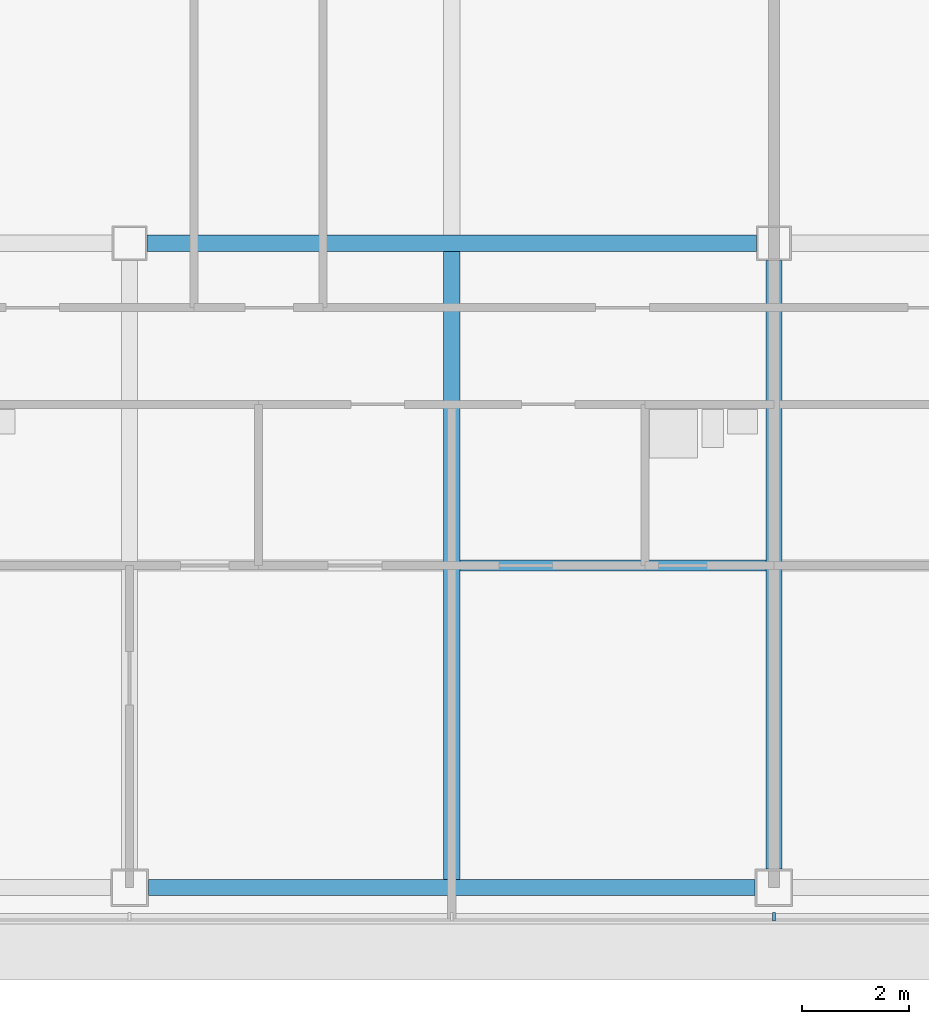
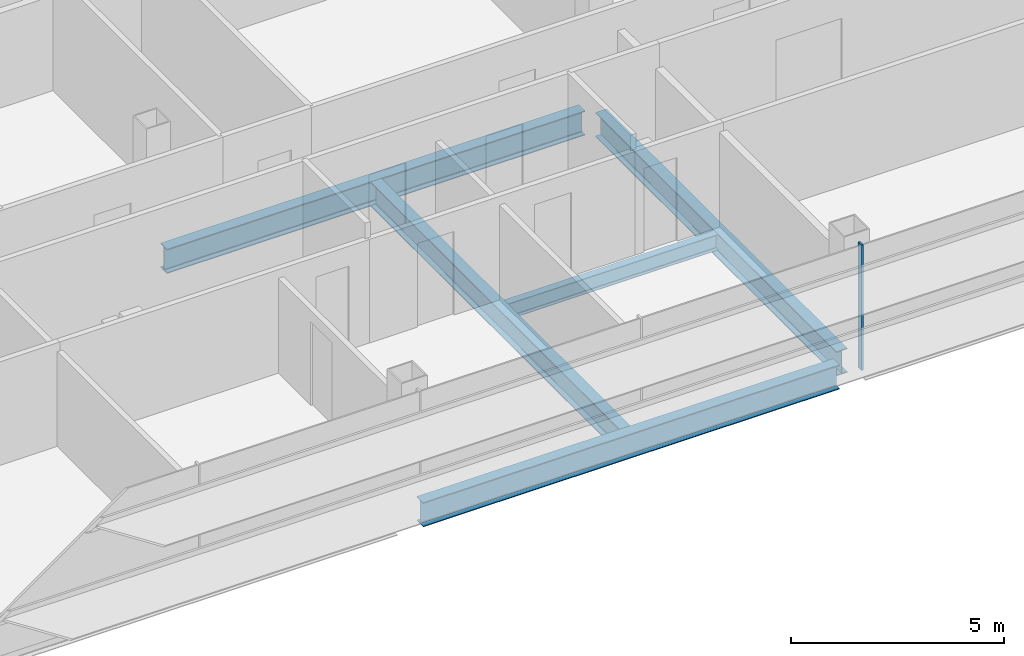
# One storey, part 3 of 26: 5 beams, 1 member, 1 element without a shape of its own.
"""IFC4 building model written with IfcOpenShell, lengths in metres."""

from ifc_helpers import new_model, si_unit, direction, frame, origin, origin_2d, place, context, subcontext, project, spatial, rectangle, i_section, extrude, material, material_profile, profile_set, type_object, element, aggregate, save


model = new_model("IFC4")

# Units and contexts
model_context = context("Model", 3, precision=1e-05, world=origin(), true_north=direction((0.0, 1.0)))
body_context = subcontext(model_context, "Body", "Model", "MODEL_VIEW")
ifc_project = project(units=[si_unit("LENGTHUNIT", "METRE"), si_unit("AREAUNIT", "SQUARE_METRE"), si_unit("VOLUMEUNIT", "CUBIC_METRE"), si_unit("PLANEANGLEUNIT", "RADIAN"), si_unit("MASSUNIT", "GRAM", prefix="KILO")], contexts=[model_context])

# Site, building, storey
site_placement = place(None, origin())
site = spatial("IfcSite", under=ifc_project, at=site_placement, CompositionType="ELEMENT")
building_placement = place(site_placement, origin())
building = spatial("IfcBuilding", under=site, at=building_placement, Name="Sorahane Residences", CompositionType="ELEMENT")
storey_placement = place(building_placement, frame((0.0, 0.0, 151.0)))
storey = spatial("IfcBuildingStorey", under=building, at=storey_placement, Name="L34", CompositionType="ELEMENT", Elevation=151.0)

# Curtain wall, member
ifc_material_1 = material(Name="Dark low-e glass and black anodised aluminium", Category="aluminium")
curtain_wall_type = type_object("IfcCurtainWallType", Name="Curtain wall CW-1 Typical unitised wall", PredefinedType="NOTDEFINED", material=ifc_material_1)
curtain_wall_placement = place(storey_placement, origin())
curtain_wall = element("IfcCurtainWall", 1, at=curtain_wall_placement, inside=storey, type_object=curtain_wall_type, Name="CW-1 curtain wall L34 S1", PredefinedType="NOTDEFINED")
ifc_material_2 = material(Name="Black anodised aluminium", Category="aluminium")
ifc_material_profile_1 = material_profile(ifc_material_2, rectangle(XDim=0.159912109375, YDim=0.050048828125, at=origin_2d()), Name="Curtain wall mullion CW-1 black anodised aluminium 50x160")
ifc_profile_set_1 = profile_set([ifc_material_profile_1], Name="Black anodised aluminium")
member_type = type_object("IfcMemberType", Name="Curtain wall mullion CW-1 black anodised aluminium 50x160", PredefinedType="MULLION", material=ifc_profile_set_1)
member_placement = place(storey_placement, frame((24.0, -0.5400390625, -0.179931640625), z_axis=(0.0, 0.0, 1.0), x_axis=(0.0, -1.0, 0.0)))
member = element("IfcMember", 2, at=member_placement, type_object=member_type, Name="CW-1 mullion L34 S1.5", PredefinedType="MULLION", context=body_context, shape_type="SweptSolid", body=[
    extrude(rectangle(XDim=0.159912109375, YDim=0.050048828125, at=origin_2d()), origin(), (0.0, 0.0, 1.0), 3.599853515625),
])
aggregate(curtain_wall, [member])

# Beams
ifc_material_3 = material(Name="Steel Q355B", Category="steel")
ifc_material_profile_2 = material_profile(ifc_material_3, i_section(OverallWidth=0.199951171875, OverallDepth=0.449951171875, WebThickness=0.009033203125, FlangeThickness=0.013916015625, FilletRadius=0.02001953125, at=origin_2d()), Name="HN 450x200x9x14")
ifc_profile_set_2 = profile_set([ifc_material_profile_2], Name="Steel Q355B")
beam_type_1 = type_object("IfcBeamType", Name="Steel floor beam HN 450x200x9x14 Q355B", PredefinedType="BEAM", material=ifc_profile_set_2)
beam_1_placement = place(storey_placement, frame((18.14990234375, 6.0, -0.405029296875), z_axis=(1.0, 0.0, 0.0), x_axis=(0.0, 1.0, 0.0)))
element("IfcBeam", 3, at=beam_1_placement, inside=storey, type_object=beam_type_1, Name="Beam L34 072", PredefinedType="BEAM", context=body_context, shape_type="SweptSolid", body=[
    extrude(i_section(OverallWidth=0.199951171875, OverallDepth=0.449951171875, WebThickness=0.009033203125, FlangeThickness=0.013916015625, FilletRadius=0.02001953125, at=origin_2d()), origin(), (0.0, 0.0, 1.0), 5.7001953125),
])
ifc_material_4 = material(Name="Steel Q355B", Category="steel")
ifc_material_profile_3 = material_profile(ifc_material_4, i_section(OverallWidth=0.300048828125, OverallDepth=0.699951171875, WebThickness=0.012939453125, FlangeThickness=0.02392578125, FilletRadius=0.028076171875, at=origin_2d()), Name="HN 700x300x13x24")
ifc_profile_set_3 = profile_set([ifc_material_profile_3], Name="Steel Q355B")
beam_type_2 = type_object("IfcBeamType", Name="Steel floor beam HN 700x300x13x24 Q355B", PredefinedType="BEAM", material=ifc_profile_set_3)
beam_2_placement = place(storey_placement, frame((12.35009765625, 0.0, -0.530029296875), z_axis=(1.0, 0.0, 0.0), x_axis=(0.0, 1.0, 0.0)))
element("IfcBeam", 4, at=beam_2_placement, inside=storey, type_object=beam_type_2, Name="Beam L34 001", PredefinedType="BEAM", context=body_context, shape_type="SweptSolid", body=[
    extrude(i_section(OverallWidth=0.300048828125, OverallDepth=0.699951171875, WebThickness=0.012939453125, FlangeThickness=0.02392578125, FilletRadius=0.028076171875, at=origin_2d()), origin(), (0.0, 0.0, 1.0), 11.2998046875),
])
beam_3_placement = place(storey_placement, frame((12.324951171875, 12.0, -0.530029296875), z_axis=(1.0, 0.0, 0.0), x_axis=(0.0, 1.0, 0.0)))
element("IfcBeam", 5, at=beam_3_placement, inside=storey, type_object=beam_type_2, Name="Beam L34 007", PredefinedType="BEAM", context=body_context, shape_type="SweptSolid", body=[
    extrude(i_section(OverallWidth=0.300048828125, OverallDepth=0.699951171875, WebThickness=0.012939453125, FlangeThickness=0.02392578125, FilletRadius=0.028076171875, at=origin_2d()), origin(), (0.0, 0.0, 1.0), 11.35009765625),
])
beam_4_placement = place(storey_placement, frame((18.0, 0.14990234375, -0.530029296875), z_axis=(0.0, 1.0, 0.0), x_axis=(-1.0, 0.0, 0.0)))
element("IfcBeam", 6, at=beam_4_placement, inside=storey, type_object=beam_type_2, Name="Beam L34 036", PredefinedType="BEAM", context=body_context, shape_type="SweptSolid", body=[
    extrude(i_section(OverallWidth=0.300048828125, OverallDepth=0.699951171875, WebThickness=0.012939453125, FlangeThickness=0.02392578125, FilletRadius=0.028076171875, at=origin_2d()), origin(), (0.0, 0.0, 1.0), 11.7001953125),
])
beam_5_placement = place(storey_placement, frame((24.0, 0.35009765625, -0.530029296875), z_axis=(0.0, 1.0, 0.0), x_axis=(-1.0, 0.0, 0.0)))
element("IfcBeam", 7, at=beam_5_placement, inside=storey, type_object=beam_type_2, Name="Beam L34 042", PredefinedType="BEAM", context=body_context, shape_type="SweptSolid", body=[
    extrude(i_section(OverallWidth=0.300048828125, OverallDepth=0.699951171875, WebThickness=0.012939453125, FlangeThickness=0.02392578125, FilletRadius=0.028076171875, at=origin_2d()), origin(), (0.0, 0.0, 1.0), 11.324951171875),
])

save(model, "model.ifc")
